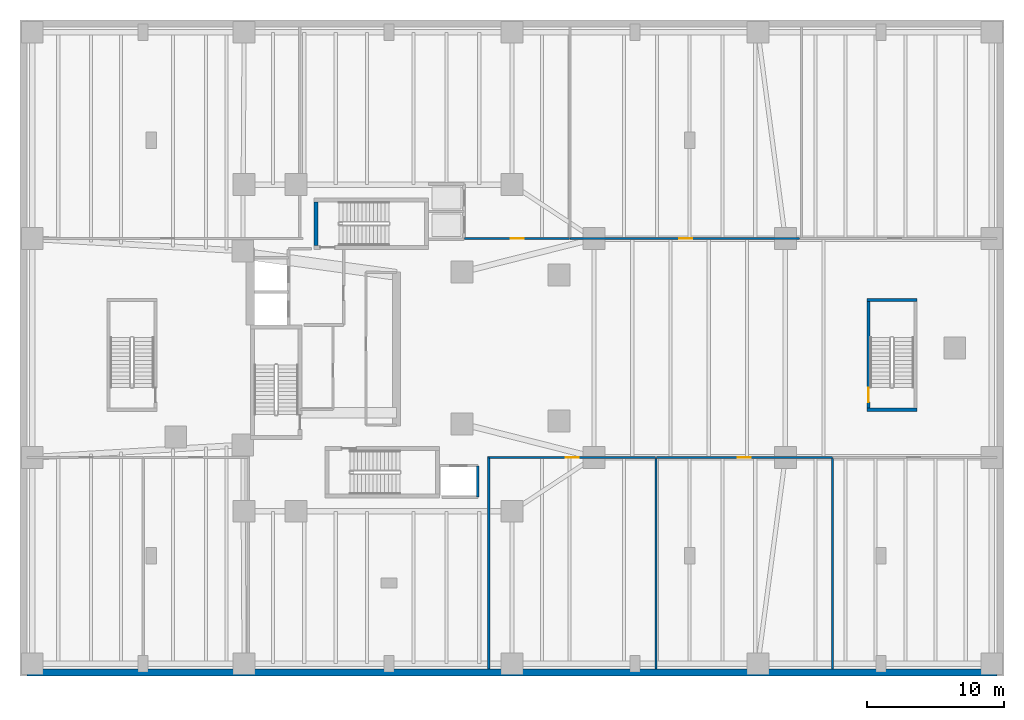
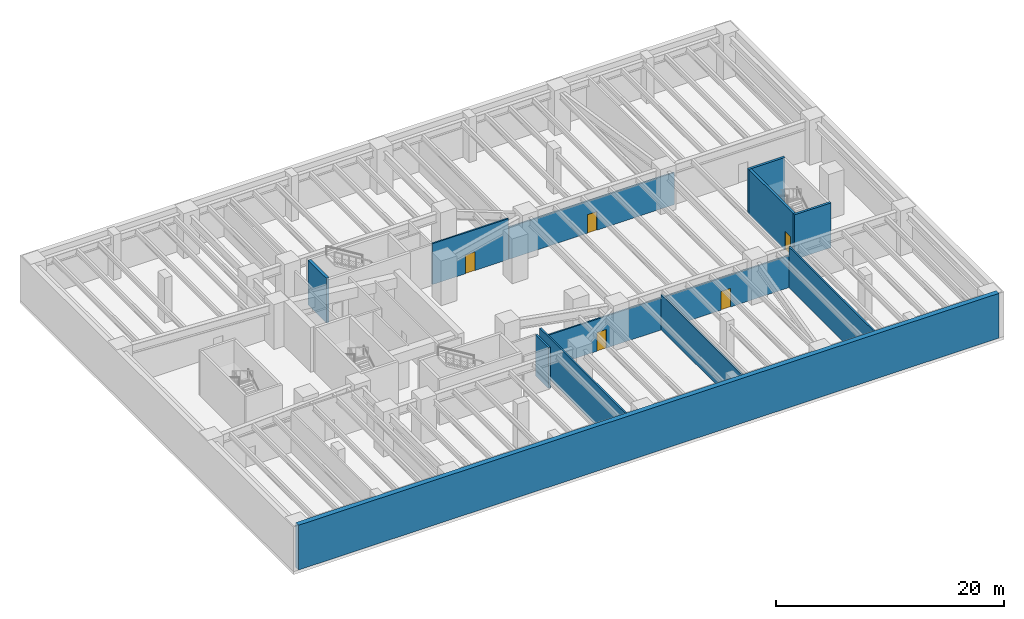
# One storey, part 4 of 9: 13 walls, 5 doors, 5 openings.
"""IFC4 building model written with IfcOpenShell, lengths in metres."""

from ifc_helpers import new_model, si_unit, direction, frame, frame_2d, origin, place, context, subcontext, project, spatial, rectangle, extrude, material, layer, layer_set, type_object, element, fill, save


model = new_model("IFC4")

# Units and contexts
model_context = context("Model", 3, precision=1e-05, world=origin(), true_north=direction((0.0, 1.0)))
body_context = subcontext(model_context, "Body", "Model", "MODEL_VIEW")
ifc_project = project(units=[si_unit("LENGTHUNIT", "METRE"), si_unit("AREAUNIT", "SQUARE_METRE"), si_unit("VOLUMEUNIT", "CUBIC_METRE"), si_unit("PLANEANGLEUNIT", "RADIAN"), si_unit("MASSUNIT", "GRAM", prefix="KILO"), si_unit("THERMODYNAMICTEMPERATUREUNIT", "KELVIN"), si_unit("POWERUNIT", "WATT")], contexts=[model_context])

# Site, building, storey
site_placement = place(None, origin())
site = spatial("IfcSite", under=ifc_project, at=site_placement, CompositionType="ELEMENT")
building_placement = place(site_placement, origin())
building = spatial("IfcBuilding", under=site, at=building_placement, Name="Skarre Station Tower", CompositionType="ELEMENT")
storey_placement = place(building_placement, frame((0.0, 0.0, -4.800048828125)))
storey = spatial("IfcBuildingStorey", under=building, at=storey_placement, Name="B01", CompositionType="ELEMENT", Elevation=-4.800048828125)

# Wall
ifc_material_1 = material(Name="Concrete C50/60", Category="concrete")
ifc_layer_1 = layer(ifc_material_1, 0.5, Name="Concrete C50/60")
ifc_layer_set_1 = layer_set([ifc_layer_1], Name="Concrete C50/60")
wall_type_1 = type_object("IfcWallType", Name="Basement Perimeter Retaining Wall 500", PredefinedType="USERDEFINED", material=ifc_layer_set_1)
wall_1_placement = place(storey_placement, frame((71.5, 0.25, 0.0), z_axis=(0.0, 0.0, 1.0), x_axis=(-1.0, 0.0, 0.0)))
element("IfcWall", 1, at=wall_1_placement, inside=storey, type_object=wall_type_1, Name="B01 Perimeter Retaining Wall S", ObjectType="RETAININGWALL", PredefinedType="USERDEFINED", context=body_context, shape_type="SweptSolid", body=[
    extrude(rectangle(XDim=71.0, YDim=0.5, at=frame_2d((35.5, 0.0))), origin(), (0.0, 0.0, 1.0), 4.800048828125),
])

# Wall, opening, door
ifc_material_2 = material(Name="Acoustic Steel-Stud Gypsum Partition", Category="steel")
ifc_layer_2 = layer(ifc_material_2, 0.14990234375, Name="Acoustic Steel-Stud Gypsum Partition")
ifc_layer_set_2 = layer_set([ifc_layer_2], Name="Acoustic Steel-Stud Gypsum Partition")
wall_type_2 = type_object("IfcWallType", Name="Fire-Rated Corridor Acoustic Partition 150", PredefinedType="PARTITIONING", material=ifc_layer_set_2)
wall_2_placement = place(storey_placement, frame((34.300048828125, 15.97998046875, 0.0), z_axis=(0.0, 0.0, 1.0), x_axis=(1.0, 0.0, 0.0)))
wall_2 = element("IfcWall", 2, at=wall_2_placement, inside=storey, type_object=wall_type_2, Name="B01 Interior Partition WL-PT-B01-PDSE1-CW", PredefinedType="PARTITIONING", context=body_context, shape_type="SweptSolid", body=[
    extrude(rectangle(XDim=12.2060546875, YDim=0.14990234375, at=frame_2d((6.10302734375, 0.0))), origin(), (0.0, 0.0, 1.0), 3.43212890625),
])
opening_1_placement = place(wall_2_placement, frame((5.623046875, 0.0, 0.0)))
opening_1 = element("IfcOpeningElement", 3, at=opening_1_placement, cuts=wall_2, Name="Opening DR-FD60", PredefinedType="OPENING", context=body_context, shape_type="SweptSolid", body=[
    extrude(rectangle(XDim=0.9599609375, YDim=2.0, at=frame_2d((0.47998046875, 1.0))), frame((0.0, 0.0849609375, 0.0), z_axis=(0.0, -1.0, 0.0), x_axis=(1.0, 0.0, 0.0)), (0.0, 0.0, 1.0), 0.169921875),
])
ifc_material_3 = material(Name="Nordic White-Oak Veneer Solid-Core Fire Leaf", Category="wood")
door_type_1 = type_object("IfcDoorType", Name="Corridor Suite Entry Fire Door FD60 960x2150", OperationType="SINGLE_SWING_LEFT", PredefinedType="DOOR", material=ifc_material_3)
door_1_placement = place(opening_1_placement, origin())
door_1 = element("IfcDoor", 4, at=door_1_placement, inside=storey, type_object=door_type_1, Name="B01 PDSE1 Entry Door", OperationType="SINGLE_SWING_LEFT", OverallHeight=2.0, OverallWidth=0.9599609375, PredefinedType="DOOR", context=body_context, shape_type="SweptSolid", body=[
    extrude(rectangle(XDim=0.9599609375, YDim=2.0, at=frame_2d((0.47998046875, 1.0))), frame((0.0, 0.02490234375, 0.0), z_axis=(0.0, -1.0, 0.0), x_axis=(1.0, 0.0, 0.0)), (0.0, 0.0, 1.0), 0.050048828125),
])
fill(opening_1, door_1)

wall_3_placement = place(storey_placement, frame((46.55810546875, 15.97998046875, 0.0), z_axis=(0.0, 0.0, 1.0), x_axis=(1.0, 0.0, 0.0)))
wall_3 = element("IfcWall", 5, at=wall_3_placement, inside=storey, type_object=wall_type_2, Name="B01 Interior Partition WL-PT-B01-PDSE2-CW", PredefinedType="PARTITIONING", context=body_context, shape_type="SweptSolid", body=[
    extrude(rectangle(XDim=12.8759765625, YDim=0.14990234375, at=frame_2d((6.43798828125, 0.0))), origin(), (0.0, 0.0, 1.0), 3.43212890625),
])
opening_2_placement = place(wall_3_placement, frame((5.9580078125, 0.0, 0.0)))
opening_2 = element("IfcOpeningElement", 6, at=opening_2_placement, cuts=wall_3, Name="Opening DR-FD60", PredefinedType="OPENING", context=body_context, shape_type="SweptSolid", body=[
    extrude(rectangle(XDim=0.9599609375, YDim=2.0, at=frame_2d((0.47998046875, 1.0))), frame((0.0, 0.0849609375, 0.0), z_axis=(0.0, -1.0, 0.0), x_axis=(1.0, 0.0, 0.0)), (0.0, 0.0, 1.0), 0.169921875),
])
door_2_placement = place(opening_2_placement, origin())
door_2 = element("IfcDoor", 7, at=door_2_placement, inside=storey, type_object=door_type_1, Name="B01 PDSE2 Entry Door", OperationType="SINGLE_SWING_LEFT", OverallHeight=2.0, OverallWidth=0.9599609375, PredefinedType="DOOR", context=body_context, shape_type="SweptSolid", body=[
    extrude(rectangle(XDim=0.9599609375, YDim=2.0, at=frame_2d((0.47998046875, 1.0))), frame((0.0, 0.02490234375, 0.0), z_axis=(0.0, -1.0, 0.0), x_axis=(1.0, 0.0, 0.0)), (0.0, 0.0, 1.0), 0.050048828125),
])
fill(opening_2, door_2)

wall_4_placement = place(storey_placement, frame((40.2099609375, 32.02001953125, 0.0), z_axis=(0.0, 0.0, 1.0), x_axis=(-1.0, 0.0, 0.0)))
wall_4 = element("IfcWall", 8, at=wall_4_placement, inside=storey, type_object=wall_type_2, Name="B01 Interior Partition WL-PT-B01-PDN2-CW", PredefinedType="PARTITIONING", context=body_context, shape_type="SweptSolid", body=[
    extrude(rectangle(XDim=7.6689453125, YDim=0.14990234375, at=frame_2d((3.83447265625, 0.0))), origin(), (0.0, 0.0, 1.0), 4.380126953125),
])
opening_3_placement = place(wall_4_placement, frame((3.35498046875, 0.0, 0.0)))
opening_3 = element("IfcOpeningElement", 9, at=opening_3_placement, cuts=wall_4, Name="Opening DR-FD60", PredefinedType="OPENING", context=body_context, shape_type="SweptSolid", body=[
    extrude(rectangle(XDim=0.9599609375, YDim=2.0, at=frame_2d((0.47998046875, 1.0))), frame((0.0, 0.0849609375, 0.0), z_axis=(0.0, -1.0, 0.0), x_axis=(1.0, 0.0, 0.0)), (0.0, 0.0, 1.0), 0.169921875),
])
door_3_placement = place(opening_3_placement, origin())
door_3 = element("IfcDoor", 10, at=door_3_placement, inside=storey, type_object=door_type_1, Name="B01 PDN2 Entry Door", OperationType="SINGLE_SWING_LEFT", OverallHeight=2.0, OverallWidth=0.9599609375, PredefinedType="DOOR", context=body_context, shape_type="SweptSolid", body=[
    extrude(rectangle(XDim=0.9599609375, YDim=2.0, at=frame_2d((0.47998046875, 1.0))), frame((0.0, 0.02490234375, 0.0), z_axis=(0.0, -1.0, 0.0), x_axis=(1.0, 0.0, 0.0)), (0.0, 0.0, 1.0), 0.050048828125),
])
fill(opening_3, door_3)

wall_5_placement = place(storey_placement, frame((57.050048828125, 32.02001953125, 0.0), z_axis=(0.0, 0.0, 1.0), x_axis=(-1.0, 0.0, 0.0)))
wall_5 = element("IfcWall", 11, at=wall_5_placement, inside=storey, type_object=wall_type_2, Name="B01 Interior Partition WL-PT-B01-PDN3-CW", PredefinedType="PARTITIONING", context=body_context, shape_type="SweptSolid", body=[
    extrude(rectangle(XDim=16.7880859375, YDim=0.14990234375, at=frame_2d((8.39404296875, 0.0))), origin(), (0.0, 0.0, 1.0), 3.43212890625),
])
opening_4_placement = place(wall_5_placement, frame((7.862060546875, 0.0, 0.0)))
opening_4 = element("IfcOpeningElement", 12, at=opening_4_placement, cuts=wall_5, Name="Opening DR-FD60", PredefinedType="OPENING", context=body_context, shape_type="SweptSolid", body=[
    extrude(rectangle(XDim=0.9599609375, YDim=2.0, at=frame_2d((0.47998046875, 1.0))), frame((0.0, 0.0849609375, 0.0), z_axis=(0.0, -1.0, 0.0), x_axis=(1.0, 0.0, 0.0)), (0.0, 0.0, 1.0), 0.169921875),
])
door_4_placement = place(opening_4_placement, origin())
door_4 = element("IfcDoor", 13, at=door_4_placement, inside=storey, type_object=door_type_1, Name="B01 PDN3 Entry Door", OperationType="SINGLE_SWING_LEFT", OverallHeight=2.0, OverallWidth=0.9599609375, PredefinedType="DOOR", context=body_context, shape_type="SweptSolid", body=[
    extrude(rectangle(XDim=0.9599609375, YDim=2.0, at=frame_2d((0.47998046875, 1.0))), frame((0.0, 0.02490234375, 0.0), z_axis=(0.0, -1.0, 0.0), x_axis=(1.0, 0.0, 0.0)), (0.0, 0.0, 1.0), 0.050048828125),
])
fill(opening_4, door_4)

# Walls
ifc_layer_3 = layer(ifc_material_1, 0.239990234375, Name="Concrete C50/60")
ifc_layer_set_3 = layer_set([ifc_layer_3], Name="Concrete C50/60")
wall_type_3 = type_object("IfcWallType", Name="RC Core Shear Wall 240", PredefinedType="SHEAR", material=ifc_layer_set_3)
for number, where, z_axis, x_axis, name in (
    (14, (61.9599609375, 19.47998046875, 0.0), (0.0, 0.0, 1.0), (1.0, 0.0, 0.0), "B01 Podium Stair ST-5 South Shear Wall"),
    (15, (65.639892578125, 27.52001953125, 0.0), (0.0, 0.0, 1.0), (-1.0, 0.0, 0.0), "B01 Podium Stair ST-5 North Shear Wall"),
):
    element("IfcWall", number, at=place(storey_placement, frame(where, z_axis=z_axis, x_axis=x_axis)), inside=storey, type_object=wall_type_3, Name=name, PredefinedType="SHEAR", context=body_context, shape_type="SweptSolid", body=[
        extrude(rectangle(XDim=3.679931640625, YDim=0.239990234375, at=frame_2d((1.83984375, 0.0))), origin(), (0.0, 0.0, 1.0), 4.800048828125),
    ])

# Wall, opening, door
wall_6_placement = place(storey_placement, frame((62.080078125, 27.39990234375, 0.0), z_axis=(0.0, 0.0, 1.0), x_axis=(0.0, -1.0, 0.0)))
wall_6 = element("IfcWall", 16, at=wall_6_placement, inside=storey, type_object=wall_type_3, Name="B01 Podium Stair ST-5 West Shear Wall", PredefinedType="SHEAR", context=body_context, shape_type="SweptSolid", body=[
    extrude(rectangle(XDim=7.7998046875, YDim=0.239990234375, at=frame_2d((3.89990234375, 0.0))), origin(), (0.0, 0.0, 1.0), 4.800048828125),
])
opening_5_placement = place(wall_6_placement, frame((6.31005859375, 0.0, 0.0)))
opening_5 = element("IfcOpeningElement", 17, at=opening_5_placement, cuts=wall_6, Name="Opening DR-FD90", PredefinedType="OPENING", context=body_context, shape_type="SweptSolid", body=[
    extrude(rectangle(XDim=1.050048828125, YDim=2.0, at=frame_2d((0.52490234375, 1.0))), frame((0.0, 0.1298828125, 0.0), z_axis=(0.0, -1.0, 0.0), x_axis=(1.0, 0.0, 0.0)), (0.0, 0.0, 1.0), 0.260009765625),
])
ifc_material_4 = material(Name="Fire-Rated Insulated Steel Frame & Timber Core Leaf", Category="steel")
door_type_2 = type_object("IfcDoorType", Name="Stair & FSAE Lobby Fire Door FD90 1050x2150", OperationType="SINGLE_SWING_RIGHT", PredefinedType="DOOR", material=ifc_material_4)
door_5_placement = place(opening_5_placement, origin())
door_5 = element("IfcDoor", 18, at=door_5_placement, inside=storey, type_object=door_type_2, Name="B01 Podium Stair ST-5 Exit Door", OperationType="SINGLE_SWING_LEFT", OverallHeight=2.0, OverallWidth=1.050048828125, PredefinedType="DOOR", context=body_context, shape_type="SweptSolid", body=[
    extrude(rectangle(XDim=1.050048828125, YDim=2.0, at=frame_2d((0.52490234375, 1.0))), frame((0.0, 0.02490234375, 0.0), z_axis=(0.0, -1.0, 0.0), x_axis=(1.0, 0.0, 0.0)), (0.0, 0.0, 1.0), 0.050048828125),
])
fill(opening_5, door_5)

# Walls
ifc_layer_4 = layer(ifc_material_1, 0.280029296875, Name="Concrete C50/60")
ifc_layer_set_4 = layer_set([ifc_layer_4], Name="Concrete C50/60")
wall_type_4 = type_object("IfcWallType", Name="RC Core Shear Wall 280", PredefinedType="SHEAR", material=ifc_layer_set_4)
wall_7_placement = place(storey_placement, frame((21.659912109375, 34.699951171875, 0.0), z_axis=(0.0, 0.0, 1.0), x_axis=(0.0, -1.0, 0.0)))
element("IfcWall", 19, at=wall_7_placement, inside=storey, type_object=wall_type_4, Name="B01 Stair ST-3 West Shear Wall", PredefinedType="SHEAR", context=body_context, shape_type="SweptSolid", body=[
    extrude(rectangle(XDim=3.199951171875, YDim=0.280029296875, at=frame_2d((1.60009765625, 0.0))), origin(), (0.0, 0.0, 1.0), 4.800048828125),
])
ifc_material_5 = material(Name="Gypsum Concrete Shaft Assembly C30/37", Category="concrete")
ifc_layer_5 = layer(ifc_material_5, 0.199951171875, Name="Gypsum Concrete Shaft Assembly C30/37")
ifc_layer_set_5 = layer_set([ifc_layer_5], Name="Gypsum Concrete Shaft Assembly C30/37")
wall_type_5 = type_object("IfcWallType", Name="Shaft & Core Fire Partition 200", PredefinedType="PARTITIONING", material=ifc_layer_set_5)
wall_8_placement = place(storey_placement, frame((33.5, 13.080078125, 0.0), z_axis=(0.0, 0.0, 1.0), x_axis=(0.0, 1.0, 0.0)))
element("IfcWall", 20, at=wall_8_placement, inside=storey, type_object=wall_type_5, Name="B01 Interior Partition WL-PT-B01-SV1-E", PredefinedType="PARTITIONING", context=body_context, shape_type="SweptSolid", body=[
    extrude(rectangle(XDim=2.2998046875, YDim=0.199951171875, at=frame_2d((1.14990234375, 0.0))), origin(), (0.0, 0.0, 1.0), 4.380126953125),
])
ifc_layer_6 = layer(ifc_material_2, 0.1650390625, Name="Acoustic Steel-Stud Gypsum Partition")
ifc_layer_set_6 = layer_set([ifc_layer_6], Name="Acoustic Steel-Stud Gypsum Partition")
wall_type_6 = type_object("IfcWallType", Name="Suite Demising Acoustic Partition 165", PredefinedType="PARTITIONING", material=ifc_layer_set_6)
wall_9_placement = place(storey_placement, frame((34.300048828125, 0.4951171875, 0.0), z_axis=(0.0, 0.0, 1.0), x_axis=(0.0, 1.0, 0.0)))
element("IfcWall", 21, at=wall_9_placement, inside=storey, type_object=wall_type_6, Name="B01 Interior Partition WL-PT-B01-PDSE-W", PredefinedType="PARTITIONING", context=body_context, shape_type="SweptSolid", body=[
    extrude(rectangle(XDim=15.554931640625, YDim=0.1650390625, at=frame_2d((7.77734375, 0.0))), origin(), (0.0, 0.0, 1.0), 4.380126953125),
])
wall_10_placement = place(storey_placement, frame((46.531982421875, 0.4951171875, 0.0), z_axis=(0.0, 0.0, 1.0), x_axis=(0.0, 1.0, 0.0)))
element("IfcWall", 22, at=wall_10_placement, inside=storey, type_object=wall_type_6, Name="B01 Interior Partition WL-PT-B01-PDSE-P1", PredefinedType="PARTITIONING", context=body_context, shape_type="SweptSolid", body=[
    extrude(rectangle(XDim=15.414794921875, YDim=0.1650390625, at=frame_2d((7.70751953125, 0.0))), origin(), (0.0, 0.0, 1.0), 3.77197265625),
])
wall_11_placement = place(storey_placement, frame((59.4599609375, 0.4951171875, 0.0), z_axis=(0.0, 0.0, 1.0), x_axis=(0.0, 1.0, 0.0)))
element("IfcWall", 23, at=wall_11_placement, inside=storey, type_object=wall_type_6, Name="B01 Interior Partition WL-PT-B01-PDSE-P2", PredefinedType="PARTITIONING", context=body_context, shape_type="SweptSolid", body=[
    extrude(rectangle(XDim=15.414794921875, YDim=0.1650390625, at=frame_2d((7.70751953125, 0.0))), origin(), (0.0, 0.0, 1.0), 4.380126953125),
])

save(model, "model.ifc")
